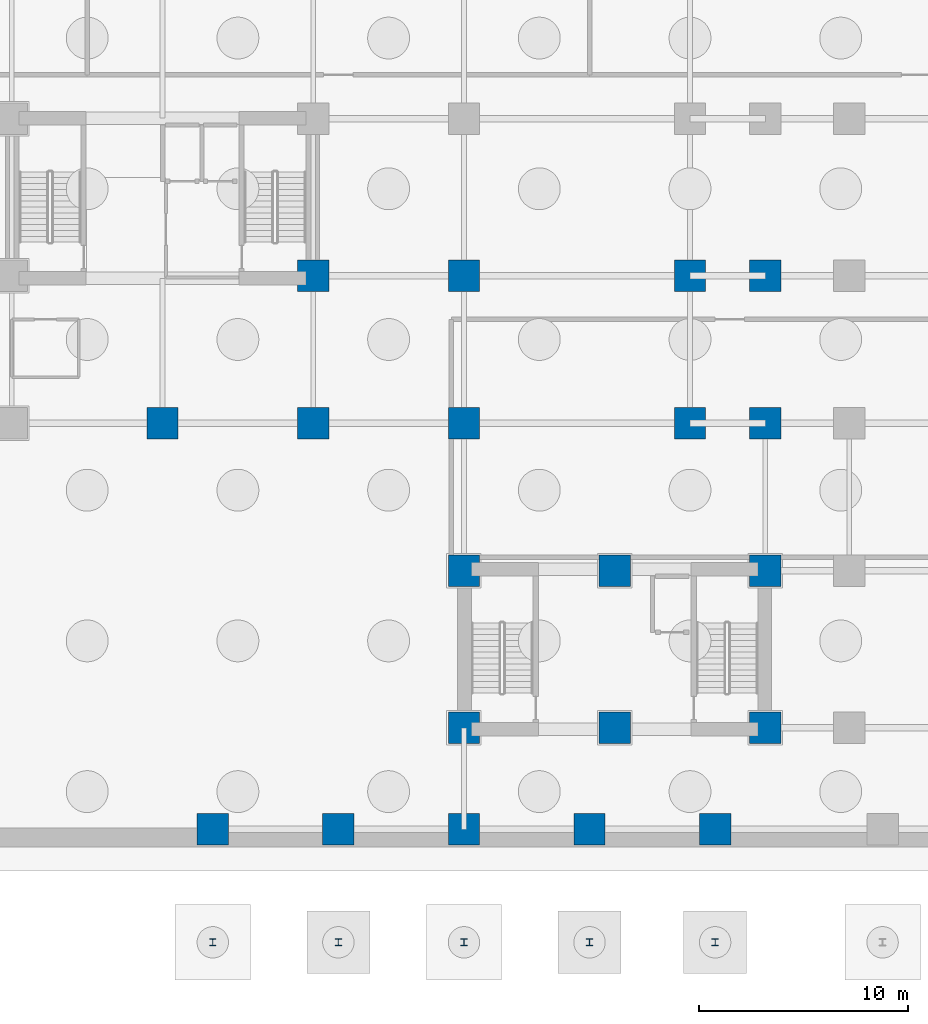
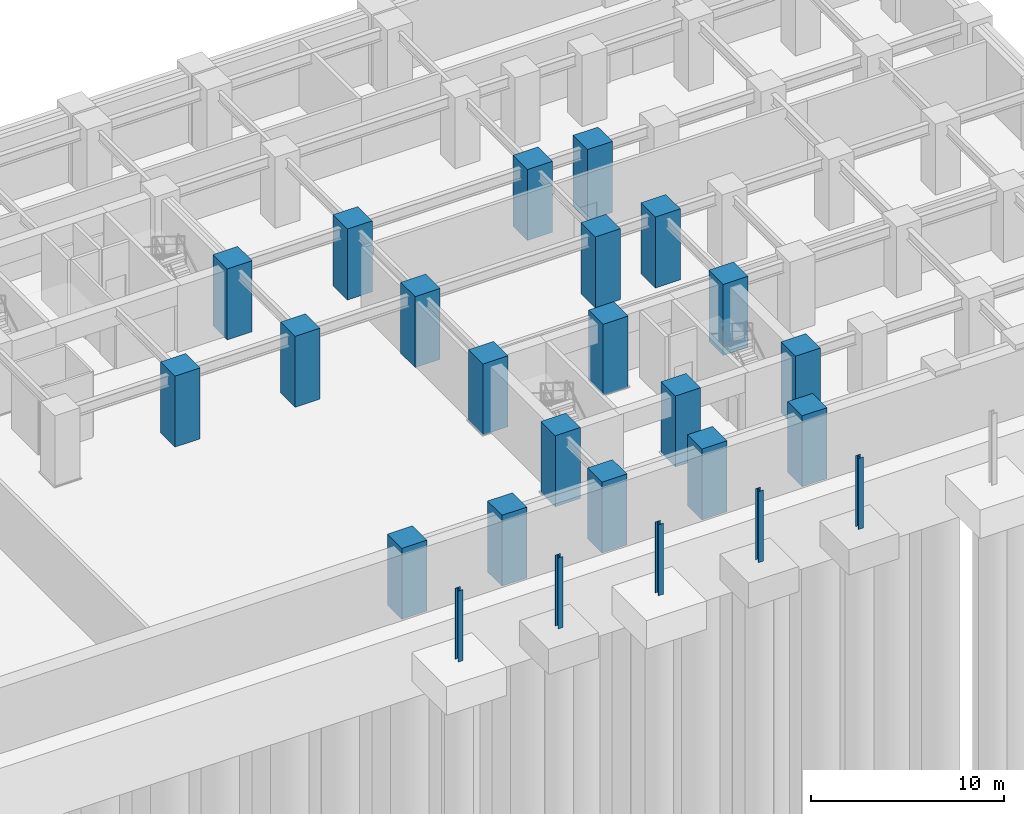
# One storey, part 2 of 11: 25 columns.
"""IFC4 building model written with IfcOpenShell, lengths in metres."""

from ifc_helpers import new_model, si_unit, direction, frame, origin, origin_2d, place, context, subcontext, project, spatial, rectangle, i_section, extrude, source, transform, mapped, material, material_profile, profile_set, type_object, element, save


model = new_model("IFC4")

# Units and contexts
model_context = context("Model", 3, precision=1e-05, world=origin(), true_north=direction((0.0, 1.0)))
body_context = subcontext(model_context, "Body", "Model", "MODEL_VIEW")
ifc_project = project(units=[si_unit("LENGTHUNIT", "METRE"), si_unit("AREAUNIT", "SQUARE_METRE"), si_unit("VOLUMEUNIT", "CUBIC_METRE"), si_unit("PLANEANGLEUNIT", "RADIAN"), si_unit("MASSUNIT", "GRAM", prefix="KILO")], contexts=[model_context])

# Site, building, storey
site_placement = place(None, origin())
site = spatial("IfcSite", under=ifc_project, at=site_placement, CompositionType="ELEMENT")
building_placement = place(site_placement, origin())
building = spatial("IfcBuilding", under=site, at=building_placement, Name="Kaliganga Portal Commons", CompositionType="ELEMENT")
storey_placement = place(building_placement, frame((0.0, 0.0, -9.0)))
storey = spatial("IfcBuildingStorey", under=building, at=storey_placement, Name="B2", CompositionType="ELEMENT", Elevation=-9.0)

# Columns
ifc_material_1 = material(Name="Structural steel S355J2", Category="steel")
ifc_material_profile_1 = material_profile(ifc_material_1, i_section(OverallWidth=0.300048828125, OverallDepth=0.320068359375, WebThickness=0.011474609375, FlangeThickness=0.0205078125, FilletRadius=0.027099609375, at=origin_2d()), Name="HE 320 B")
ifc_profile_set_1 = profile_set([ifc_material_profile_1], Name="Structural steel S355J2 wide-flange")
column_type_1 = type_object("IfcColumnType", Name="COL-PROM-POST", PredefinedType="COLUMN", material=ifc_profile_set_1)
shared_shape_1 = source(origin(), body_context, "Body", "SweptSolid", [
    extrude(i_section(OverallWidth=0.300048828125, OverallDepth=0.320068359375, WebThickness=0.011474609375, FlangeThickness=0.0205078125, FilletRadius=0.027099609375, at=origin_2d()), origin(), (0.0, 0.0, 1.0), 4.5),
])
for number, where, z_axis, x_axis, name in (
    (1, (24.0, -3.199951171875, 0.0), (0.0, 0.0, 1.0), (1.0, 0.0, 0.0), "Column PC-01 B2"),
    (2, (30.0, -3.199951171875, 0.0), (0.0, 0.0, 1.0), (1.0, 0.0, 0.0), "Column PC-01 B2"),
    (3, (36.0, -3.199951171875, 0.0), (0.0, 0.0, 1.0), (1.0, 0.0, 0.0), "Column PC-01 B2"),
    (4, (42.0, -3.199951171875, 0.0), (0.0, 0.0, 1.0), (1.0, 0.0, 0.0), "Column PC-01 B2"),
    (5, (48.0, -3.199951171875, 0.0), (0.0, 0.0, 1.0), (1.0, 0.0, 0.0), "Column PC-01 B2"),
):
    element("IfcColumn", number, at=place(storey_placement, frame(where, z_axis=z_axis, x_axis=x_axis)), inside=storey, type_object=column_type_1, Name=name, PredefinedType="COLUMN", context=body_context, shape_type="MappedRepresentation", body=[
        mapped(shared_shape_1, transform((0.0, 0.0, 0.0), x_axis=(1.0, 0.0, 0.0), y_axis=(0.0, 1.0, 0.0), z_axis=(0.0, 0.0, 1.0), scale=1.0)),
    ])
ifc_material_2 = material(Name="Concrete C70/85", Category="concrete")
ifc_material_profile_2 = material_profile(ifc_material_2, rectangle(XDim=1.5, YDim=1.5, at=origin_2d()), Name="RC 1500x1500")
ifc_profile_set_2 = profile_set([ifc_material_profile_2], Name="Concrete C70/85")
column_type_2 = type_object("IfcColumnType", Name="COL-MEGA-Z0", PredefinedType="COLUMN", material=ifc_profile_set_2)
shared_shape_2 = source(origin(), body_context, "Body", "SweptSolid", [
    extrude(rectangle(XDim=1.5, YDim=1.5, at=origin_2d()), origin(), (0.0, 0.0, 1.0), 4.5),
])
for number, where, z_axis, x_axis, name in (
    (6, (21.60009765625, 21.60009765625, 0.0), (0.0, 0.0, 1.0), (1.0, 0.0, 0.0), "Column MC-01 B2"),
    (7, (28.800048828125, 21.60009765625, 0.0), (0.0, 0.0, 1.0), (1.0, 0.0, 0.0), "Column MC-01 B2"),
    (8, (28.800048828125, 28.64990234375, 0.0), (0.0, 0.0, 1.0), (1.0, 0.0, 0.0), "Column MC-01 B2"),
    (9, (36.0, 21.60009765625, 0.0), (0.0, 0.0, 1.0), (1.0, 0.0, 0.0), "Column MC-01 B2"),
    (10, (36.0, 28.64990234375, 0.0), (0.0, 0.0, 1.0), (1.0, 0.0, 0.0), "Column MC-01 B2"),
    (11, (46.800048828125, 21.60009765625, 0.0), (0.0, 0.0, 1.0), (1.0, 0.0, 0.0), "Column MC-01 B2"),
    (12, (46.800048828125, 28.64990234375, 0.0), (0.0, 0.0, 1.0), (1.0, 0.0, 0.0), "Column MC-01 B2"),
    (13, (36.0, 7.050048828125, 0.0), (0.0, 0.0, 1.0), (1.0, 0.0, 0.0), "Column MC-01 B2"),
    (14, (36.0, 14.550048828125, 0.0), (0.0, 0.0, 1.0), (1.0, 0.0, 0.0), "Column MC-01 B2"),
    (15, (43.199951171875, 7.050048828125, 0.0), (0.0, 0.0, 1.0), (1.0, 0.0, 0.0), "Column MC-01 B2"),
    (16, (43.199951171875, 14.550048828125, 0.0), (0.0, 0.0, 1.0), (1.0, 0.0, 0.0), "Column MC-01 B2"),
    (17, (50.39990234375, 7.050048828125, 0.0), (0.0, 0.0, 1.0), (1.0, 0.0, 0.0), "Column MC-01 B2"),
    (18, (50.39990234375, 14.550048828125, 0.0), (0.0, 0.0, 1.0), (1.0, 0.0, 0.0), "Column MC-01 B2"),
    (19, (50.39990234375, 21.60009765625, 0.0), (0.0, 0.0, 1.0), (1.0, 0.0, 0.0), "Column MC-01 B2"),
    (20, (50.39990234375, 28.64990234375, 0.0), (0.0, 0.0, 1.0), (1.0, 0.0, 0.0), "Column MC-01 B2"),
    (21, (48.0, 2.199951171875, 0.0), (0.0, 0.0, 1.0), (1.0, 0.0, 0.0), "Column MC-01 B2"),
    (22, (42.0, 2.199951171875, 0.0), (0.0, 0.0, 1.0), (1.0, 0.0, 0.0), "Column MC-01 B2"),
    (23, (36.0, 2.199951171875, 0.0), (0.0, 0.0, 1.0), (1.0, 0.0, 0.0), "Column MC-01 B2"),
    (24, (30.0, 2.199951171875, 0.0), (0.0, 0.0, 1.0), (1.0, 0.0, 0.0), "Column MC-01 B2"),
    (25, (24.0, 2.199951171875, 0.0), (0.0, 0.0, 1.0), (1.0, 0.0, 0.0), "Column MC-01 B2"),
):
    element("IfcColumn", number, at=place(storey_placement, frame(where, z_axis=z_axis, x_axis=x_axis)), inside=storey, type_object=column_type_2, Name=name, PredefinedType="COLUMN", context=body_context, shape_type="MappedRepresentation", body=[
        mapped(shared_shape_2, transform((0.0, 0.0, 0.0), x_axis=(1.0, 0.0, 0.0), y_axis=(0.0, 1.0, 0.0), z_axis=(0.0, 0.0, 1.0), scale=1.0)),
    ])

save(model, "model.ifc")
